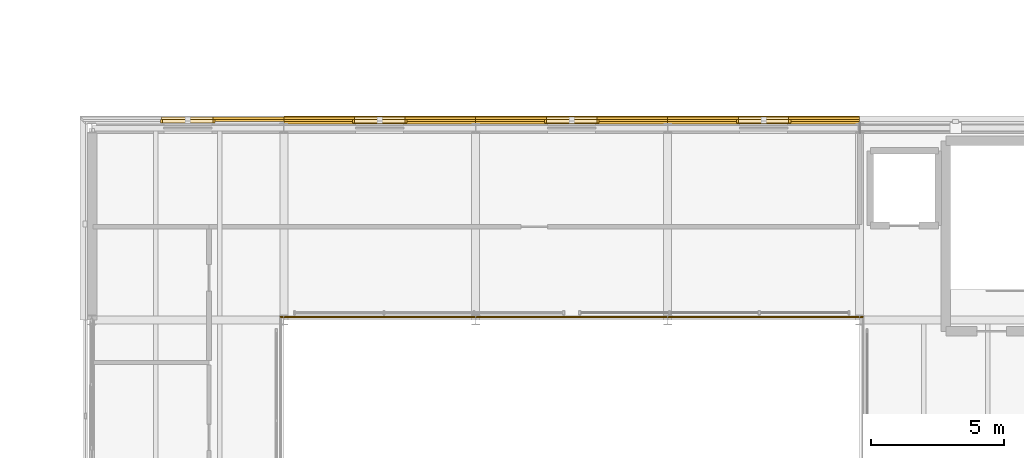
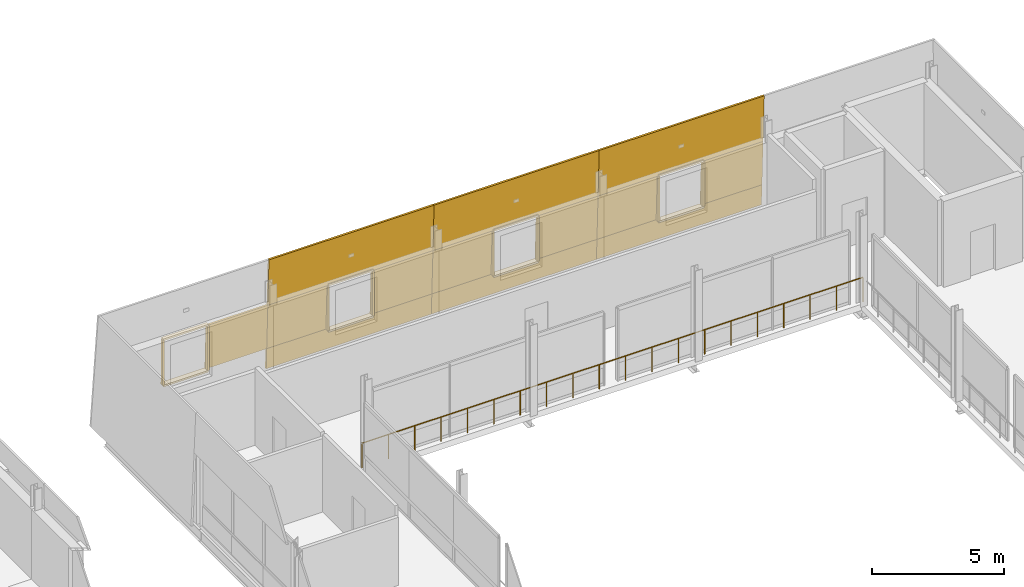
# One storey, part 87 of 91: 29 coverings, 1 railing.
"""IFC4 building model written with IfcOpenShell, lengths in metres."""

from ifc_helpers import new_model, si_unit, direction, frame, origin, origin_2d, place, context, subcontext, project, spatial, polyline, circle, outline, extrude, material, layer, layer_set, type_object, element, save


model = new_model("IFC4")

# Units and contexts
model_context = context("Model", 3, precision=1e-05, world=origin(), true_north=direction((0.0, 1.0)))
body_context = subcontext(model_context, "Body", "Model", "MODEL_VIEW")
ifc_project = project(units=[si_unit("LENGTHUNIT", "METRE"), si_unit("AREAUNIT", "SQUARE_METRE"), si_unit("VOLUMEUNIT", "CUBIC_METRE"), si_unit("PLANEANGLEUNIT", "RADIAN"), si_unit("MASSUNIT", "GRAM", prefix="KILO")], contexts=[model_context])

# Site, building, storey
site_placement = place(None, origin())
site = spatial("IfcSite", under=ifc_project, at=site_placement, CompositionType="ELEMENT")
building_placement = place(site_placement, origin())
building = spatial("IfcBuilding", under=site, at=building_placement, Name="Narikvali Park Central Library", CompositionType="ELEMENT")
storey_placement = place(building_placement, frame((0.0, 0.0, 14.39990234375)))
storey = spatial("IfcBuildingStorey", under=building, at=storey_placement, Name="L03", CompositionType="ELEMENT", Elevation=14.39990234375)

# Railing
ifc_material_1 = material(Name="Laminated Tempered Glass and Stainless Steel", Category="steel")
ifc_layer_1 = layer(ifc_material_1, 0.06005859375, Name="Laminated Tempered Glass and Stainless Steel")
ifc_layer_set_1 = layer_set([ifc_layer_1], Name="Laminated Tempered Glass and Stainless Steel")
railing_type = type_object("IfcRailingType", Name="Atrium Void Tempered Glass Guardrail 1150", PredefinedType="GUARDRAIL", material=ifc_layer_set_1)
railing_placement = place(storey_placement, frame((93.719970703125, 86.52001953125, 0.0)))
element("IfcRailing", 1, at=railing_placement, inside=storey, type_object=railing_type, Name="V1 L03 Void Edge Guardrail N", PredefinedType="GUARDRAIL", context=body_context, shape_type="SweptSolid", body=[
    extrude(circle(Radius=0.02392578125, at=origin_2d()), frame((0.0, 0.0, 1.1259765625), z_axis=(-1.0, 0.0, 0.0), x_axis=(0.0, -1.0, 0.0)), (0.0, 0.0, 1.0), 21.840087890625),
    extrude(circle(Radius=0.02099609375, at=origin_2d()), origin(), (0.0, 0.0, 1.0), 1.101806640625),
    extrude(circle(Radius=0.02099609375, at=origin_2d()), frame((-1.1494140625, 0.0, 0.0)), (0.0, 0.0, 1.0), 1.101806640625),
    extrude(circle(Radius=0.02099609375, at=origin_2d()), frame((-2.299072265625, 0.0, 0.0)), (0.0, 0.0, 1.0), 1.101806640625),
    extrude(circle(Radius=0.02099609375, at=origin_2d()), frame((-3.448486328125, 0.0, 0.0)), (0.0, 0.0, 1.0), 1.101806640625),
    extrude(circle(Radius=0.02099609375, at=origin_2d()), frame((-4.597900390625, 0.0, 0.0)), (0.0, 0.0, 1.0), 1.101806640625),
    extrude(circle(Radius=0.02099609375, at=origin_2d()), frame((-5.747314453125, 0.0, 0.0)), (0.0, 0.0, 1.0), 1.101806640625),
    extrude(circle(Radius=0.02099609375, at=origin_2d()), frame((-6.89697265625, 0.0, 0.0)), (0.0, 0.0, 1.0), 1.101806640625),
    extrude(circle(Radius=0.02099609375, at=origin_2d()), frame((-8.04638671875, 0.0, 0.0)), (0.0, 0.0, 1.0), 1.101806640625),
    extrude(circle(Radius=0.02099609375, at=origin_2d()), frame((-9.19580078125, 0.0, 0.0)), (0.0, 0.0, 1.0), 1.101806640625),
    extrude(circle(Radius=0.02099609375, at=origin_2d()), frame((-10.34521484375, 0.0, 0.0)), (0.0, 0.0, 1.0), 1.101806640625),
    extrude(circle(Radius=0.02099609375, at=origin_2d()), frame((-11.494873046875, 0.0, 0.0)), (0.0, 0.0, 1.0), 1.101806640625),
    extrude(circle(Radius=0.02099609375, at=origin_2d()), frame((-12.644287109375, 0.0, 0.0)), (0.0, 0.0, 1.0), 1.101806640625),
    extrude(circle(Radius=0.02099609375, at=origin_2d()), frame((-13.793701171875, 0.0, 0.0)), (0.0, 0.0, 1.0), 1.101806640625),
    extrude(circle(Radius=0.02099609375, at=origin_2d()), frame((-14.943115234375, 0.0, 0.0)), (0.0, 0.0, 1.0), 1.101806640625),
    extrude(circle(Radius=0.02099609375, at=origin_2d()), frame((-16.0927734375, 0.0, 0.0)), (0.0, 0.0, 1.0), 1.101806640625),
    extrude(circle(Radius=0.02099609375, at=origin_2d()), frame((-17.2421875, 0.0, 0.0)), (0.0, 0.0, 1.0), 1.101806640625),
    extrude(circle(Radius=0.02099609375, at=origin_2d()), frame((-18.3916015625, 0.0, 0.0)), (0.0, 0.0, 1.0), 1.101806640625),
    extrude(circle(Radius=0.02099609375, at=origin_2d()), frame((-19.541015625, 0.0, 0.0)), (0.0, 0.0, 1.0), 1.101806640625),
    extrude(circle(Radius=0.02099609375, at=origin_2d()), frame((-20.690673828125, 0.0, 0.0)), (0.0, 0.0, 1.0), 1.101806640625),
    extrude(circle(Radius=0.02099609375, at=origin_2d()), frame((-21.840087890625, 0.0, 0.0)), (0.0, 0.0, 1.0), 1.101806640625),
])

# Coverings
ifc_material_2 = material(Name="White Honed Limestone Cladding", Category="masonry")
ifc_layer_2 = layer(ifc_material_2, 0.0849609375, Name="White Honed Limestone Cladding")
ifc_layer_set_2 = layer_set([ifc_layer_2], Name="White Honed Limestone Cladding")
covering_type_1 = type_object("IfcCoveringType", Name="Battered White Limestone Facade Cladding Panel", PredefinedType="CLADDING", material=ifc_layer_set_2)
covering_1_placement = place(storey_placement, frame((93.60009765625, 94.05078125, 0.0), z_axis=(0.0, 0.999166557991, 0.040818983227), x_axis=(-1.0, 0.0, 0.0)))
element("IfcCovering", 2, at=covering_1_placement, inside=storey, type_object=covering_type_1, Name="V1 L03 N Battered Limestone Spandrel B02", PredefinedType="CLADDING", context=body_context, shape_type="SweptSolid", body=[
    extrude(outline(polyline([(0.0, 0.0), (7.2001953125, 0.0), (7.2001953125, 0.9509879057703833), (0.0, 0.9509879057703833), (0.0, 0.0)])), origin(), (0.0, 0.0, -1.0), 0.0849609375),
])
covering_2_placement = place(storey_placement, frame((93.60009765625, 93.927978515625, 3.0), z_axis=(0.0, 0.999165598292, 0.040842467967), x_axis=(-1.0, 0.0, 0.0)))
element("IfcCovering", 3, at=covering_2_placement, inside=storey, type_object=covering_type_1, Name="V1 L03 N Battered Limestone Lintel B02", PredefinedType="CLADDING", context=body_context, shape_type="SweptSolid", body=[
    extrude(outline(polyline([(0.0, 0.0), (7.2001953125, 0.0), (7.2001953125, 2.1519420685123154), (0.0, 2.1519420685123154), (0.0, 0.0)])), origin(), (0.0, 0.0, -1.0), 0.0849609375),
])
for number, where, z_axis, x_axis, name in (
    (4, (93.60009765625, 94.011962890625, 0.9501953125), (0.0, 0.99916170734, 0.040937544941), (-1.0, 0.0, 0.0), "V1 L03 N Battered Limestone Jamb Pier L B02"),
    (5, (89.06005859375, 94.011962890625, 0.9501953125), (0.0, 0.99916170734, 0.040937544941), (-1.0, 0.0, 0.0), "V1 L03 N Battered Limestone Jamb Pier R B02"),
):
    element("IfcCovering", number, at=place(storey_placement, frame(where, z_axis=z_axis, x_axis=x_axis)), inside=storey, type_object=covering_type_1, Name=name, PredefinedType="CLADDING", context=body_context, shape_type="SweptSolid", body=[
        extrude(outline(polyline([(0.0, 0.0), (2.66015625, 0.0), (2.66015625, 2.05152446540155), (0.0, 2.05152446540155), (0.0, 0.0)])), origin(), (0.0, 0.0, -1.0), 0.0849609375),
    ])
covering_3_placement = place(storey_placement, frame((86.39990234375, 94.05078125, 0.0), z_axis=(0.0, 0.999166557991, 0.040818983227), x_axis=(-1.0, 0.0, 0.0)))
element("IfcCovering", 6, at=covering_3_placement, inside=storey, type_object=covering_type_1, Name="V1 L03 N Battered Limestone Spandrel B03", PredefinedType="CLADDING", context=body_context, shape_type="SweptSolid", body=[
    extrude(outline(polyline([(0.0, 0.0), (7.199951171875, 0.0), (7.199951171875, 0.9509879057703833), (0.0, 0.9509879057703833), (0.0, 0.0)])), origin(), (0.0, 0.0, -1.0), 0.0849609375),
])
covering_4_placement = place(storey_placement, frame((86.39990234375, 93.927978515625, 3.0), z_axis=(0.0, 0.999165598292, 0.040842467967), x_axis=(-1.0, 0.0, 0.0)))
element("IfcCovering", 7, at=covering_4_placement, inside=storey, type_object=covering_type_1, Name="V1 L03 N Battered Limestone Lintel B03", PredefinedType="CLADDING", context=body_context, shape_type="SweptSolid", body=[
    extrude(outline(polyline([(0.0, 0.0), (7.199951171875, 0.0), (7.199951171875, 2.1519420685123154), (0.0, 2.1519420685123154), (0.0, 0.0)])), origin(), (0.0, 0.0, -1.0), 0.0849609375),
])
covering_5_placement = place(storey_placement, frame((86.39990234375, 94.011962890625, 0.9501953125), z_axis=(0.0, 0.99916170734, 0.040937544941), x_axis=(-1.0, 0.0, 0.0)))
element("IfcCovering", 8, at=covering_5_placement, inside=storey, type_object=covering_type_1, Name="V1 L03 N Battered Limestone Jamb Pier L B03", PredefinedType="CLADDING", context=body_context, shape_type="SweptSolid", body=[
    extrude(outline(polyline([(0.0, 0.0), (2.659912109375, 0.0), (2.659912109375, 2.05152446540155), (0.0, 2.05152446540155), (0.0, 0.0)])), origin(), (0.0, 0.0, -1.0), 0.0849609375),
])
covering_6_placement = place(storey_placement, frame((81.860107421875, 94.011962890625, 0.9501953125), z_axis=(0.0, 0.99916170734, 0.040937544941), x_axis=(-1.0, 0.0, 0.0)))
element("IfcCovering", 9, at=covering_6_placement, inside=storey, type_object=covering_type_1, Name="V1 L03 N Battered Limestone Jamb Pier R B03", PredefinedType="CLADDING", context=body_context, shape_type="SweptSolid", body=[
    extrude(outline(polyline([(0.0, 0.0), (2.66015625, 0.0), (2.66015625, 2.05152446540155), (0.0, 2.05152446540155), (0.0, 0.0)])), origin(), (0.0, 0.0, -1.0), 0.0849609375),
])
covering_7_placement = place(storey_placement, frame((79.199951171875, 94.05078125, 0.0), z_axis=(0.0, 0.999166557991, 0.040818983227), x_axis=(-1.0, 0.0, 0.0)))
element("IfcCovering", 10, at=covering_7_placement, inside=storey, type_object=covering_type_1, Name="V1 L03 N Battered Limestone Spandrel B04", PredefinedType="CLADDING", context=body_context, shape_type="SweptSolid", body=[
    extrude(outline(polyline([(0.0, 0.0), (7.199951171875, 0.0), (7.199951171875, 0.9509879057703833), (0.0, 0.9509879057703833), (0.0, 0.0)])), origin(), (0.0, 0.0, -1.0), 0.0849609375),
])
covering_8_placement = place(storey_placement, frame((79.199951171875, 93.927978515625, 3.0), z_axis=(0.0, 0.999165598292, 0.040842467967), x_axis=(-1.0, 0.0, 0.0)))
element("IfcCovering", 11, at=covering_8_placement, inside=storey, type_object=covering_type_1, Name="V1 L03 N Battered Limestone Lintel B04", PredefinedType="CLADDING", context=body_context, shape_type="SweptSolid", body=[
    extrude(outline(polyline([(0.0, 0.0), (7.199951171875, 0.0), (7.199951171875, 2.1519420685123154), (0.0, 2.1519420685123154), (0.0, 0.0)])), origin(), (0.0, 0.0, -1.0), 0.0849609375),
])
for number, where, z_axis, x_axis, name in (
    (12, (79.199951171875, 94.011962890625, 0.9501953125), (0.0, 0.99916170734, 0.040937544941), (-1.0, 0.0, 0.0), "V1 L03 N Battered Limestone Jamb Pier L B04"),
    (13, (74.659912109375, 94.011962890625, 0.9501953125), (0.0, 0.99916170734, 0.040937544941), (-1.0, 0.0, 0.0), "V1 L03 N Battered Limestone Jamb Pier R B04"),
    (14, (72.0, 94.011962890625, 0.9501953125), (0.0, 0.99916170734, 0.040937544941), (-1.0, 0.0, 0.0), "V1 L03 N Battered Limestone Jamb Pier L B05"),
):
    element("IfcCovering", number, at=place(storey_placement, frame(where, z_axis=z_axis, x_axis=x_axis)), inside=storey, type_object=covering_type_1, Name=name, PredefinedType="CLADDING", context=body_context, shape_type="SweptSolid", body=[
        extrude(outline(polyline([(0.0, 0.0), (2.659912109375, 0.0), (2.659912109375, 2.05152446540155), (0.0, 2.05152446540155), (0.0, 0.0)])), origin(), (0.0, 0.0, -1.0), 0.0849609375),
    ])
ifc_layer_3 = layer(ifc_material_2, 0.080078125, Name="White Honed Limestone Cladding")
ifc_layer_set_3 = layer_set([ifc_layer_3], Name="White Honed Limestone Cladding")
covering_type_2 = type_object("IfcCoveringType", Name="Deep Carved White Limestone Window Reveal", PredefinedType="CLADDING", material=ifc_layer_set_3)
covering_9_placement = place(storey_placement, frame((0.0, 0.0, 3.0)))
element("IfcCovering", 15, at=covering_9_placement, inside=storey, type_object=covering_type_2, Name="Deep Stone Reveal Head V1-RVL-L03-N-B02", PredefinedType="CLADDING", context=body_context, shape_type="SweptSolid", body=[
    extrude(outline(polyline([(90.97998046875, 93.784912109375), (89.02001953125, 93.784912109375), (89.02001953125, 93.927978515625), (90.97998046875, 93.927978515625), (90.97998046875, 93.784912109375)])), origin(), (0.0, 0.0, 1.0), 0.080078125),
])
covering_10_placement = place(storey_placement, frame((0.0, 0.0, 0.8701171875)))
element("IfcCovering", 16, at=covering_10_placement, inside=storey, type_object=covering_type_2, Name="Deep Stone Reveal Sill V1-RVL-L03-N-B02", PredefinedType="CLADDING", context=body_context, shape_type="SweptSolid", body=[
    extrude(outline(polyline([(90.97998046875, 93.784912109375), (89.02001953125, 93.784912109375), (89.02001953125, 94.011962890625), (90.97998046875, 94.011962890625), (90.97998046875, 93.784912109375)])), origin(), (0.0, 0.0, 1.0), 0.080078125),
])
covering_11_placement = place(storey_placement, frame((0.0, 0.0, 0.9501953125)))
element("IfcCovering", 17, at=covering_11_placement, inside=storey, type_object=covering_type_2, Name="Deep Stone Reveal Jamb L V1-RVL-L03-N-B02", PredefinedType="CLADDING", context=body_context, shape_type="SweptSolid", body=[
    extrude(outline(polyline([(91.02001953125, 93.784912109375), (90.93994140625, 93.784912109375), (90.93994140625, 93.927978515625), (91.02001953125, 93.927978515625), (91.02001953125, 93.784912109375)])), origin(), (0.0, 0.0, 1.0), 2.0498046875),
])
covering_12_placement = place(storey_placement, frame((0.0, 0.0, 0.9501953125)))
element("IfcCovering", 18, at=covering_12_placement, inside=storey, type_object=covering_type_2, Name="Deep Stone Reveal Jamb R V1-RVL-L03-N-B02", PredefinedType="CLADDING", context=body_context, shape_type="SweptSolid", body=[
    extrude(outline(polyline([(89.06005859375, 93.784912109375), (88.97998046875, 93.784912109375), (88.97998046875, 93.927978515625), (89.06005859375, 93.927978515625), (89.06005859375, 93.784912109375)])), origin(), (0.0, 0.0, 1.0), 2.0498046875),
])
covering_13_placement = place(storey_placement, frame((0.0, 0.0, 3.0)))
element("IfcCovering", 19, at=covering_13_placement, inside=storey, type_object=covering_type_2, Name="Deep Stone Reveal Head V1-RVL-L03-N-B03", PredefinedType="CLADDING", context=body_context, shape_type="SweptSolid", body=[
    extrude(outline(polyline([(83.780029296875, 93.784912109375), (81.820068359375, 93.784912109375), (81.820068359375, 93.927978515625), (83.780029296875, 93.927978515625), (83.780029296875, 93.784912109375)])), origin(), (0.0, 0.0, 1.0), 0.080078125),
])
covering_14_placement = place(storey_placement, frame((0.0, 0.0, 0.8701171875)))
element("IfcCovering", 20, at=covering_14_placement, inside=storey, type_object=covering_type_2, Name="Deep Stone Reveal Sill V1-RVL-L03-N-B03", PredefinedType="CLADDING", context=body_context, shape_type="SweptSolid", body=[
    extrude(outline(polyline([(83.780029296875, 93.784912109375), (81.820068359375, 93.784912109375), (81.820068359375, 94.011962890625), (83.780029296875, 94.011962890625), (83.780029296875, 93.784912109375)])), origin(), (0.0, 0.0, 1.0), 0.080078125),
])
covering_15_placement = place(storey_placement, frame((0.0, 0.0, 0.9501953125)))
element("IfcCovering", 21, at=covering_15_placement, inside=storey, type_object=covering_type_2, Name="Deep Stone Reveal Jamb L V1-RVL-L03-N-B03", PredefinedType="CLADDING", context=body_context, shape_type="SweptSolid", body=[
    extrude(outline(polyline([(83.820068359375, 93.784912109375), (83.739990234375, 93.784912109375), (83.739990234375, 93.927978515625), (83.820068359375, 93.927978515625), (83.820068359375, 93.784912109375)])), origin(), (0.0, 0.0, 1.0), 2.0498046875),
])
covering_16_placement = place(storey_placement, frame((0.0, 0.0, 0.9501953125)))
element("IfcCovering", 22, at=covering_16_placement, inside=storey, type_object=covering_type_2, Name="Deep Stone Reveal Jamb R V1-RVL-L03-N-B03", PredefinedType="CLADDING", context=body_context, shape_type="SweptSolid", body=[
    extrude(outline(polyline([(81.860107421875, 93.784912109375), (81.780029296875, 93.784912109375), (81.780029296875, 93.927978515625), (81.860107421875, 93.927978515625), (81.860107421875, 93.784912109375)])), origin(), (0.0, 0.0, 1.0), 2.0498046875),
])
covering_17_placement = place(storey_placement, frame((0.0, 0.0, 3.0)))
element("IfcCovering", 23, at=covering_17_placement, inside=storey, type_object=covering_type_2, Name="Deep Stone Reveal Head V1-RVL-L03-N-B04", PredefinedType="CLADDING", context=body_context, shape_type="SweptSolid", body=[
    extrude(outline(polyline([(76.580078125, 93.784912109375), (74.6201171875, 93.784912109375), (74.6201171875, 93.927978515625), (76.580078125, 93.927978515625), (76.580078125, 93.784912109375)])), origin(), (0.0, 0.0, 1.0), 0.080078125),
])
covering_18_placement = place(storey_placement, frame((0.0, 0.0, 0.8701171875)))
element("IfcCovering", 24, at=covering_18_placement, inside=storey, type_object=covering_type_2, Name="Deep Stone Reveal Sill V1-RVL-L03-N-B04", PredefinedType="CLADDING", context=body_context, shape_type="SweptSolid", body=[
    extrude(outline(polyline([(76.580078125, 93.784912109375), (74.6201171875, 93.784912109375), (74.6201171875, 94.011962890625), (76.580078125, 94.011962890625), (76.580078125, 93.784912109375)])), origin(), (0.0, 0.0, 1.0), 0.080078125),
])
covering_19_placement = place(storey_placement, frame((0.0, 0.0, 0.9501953125)))
element("IfcCovering", 25, at=covering_19_placement, inside=storey, type_object=covering_type_2, Name="Deep Stone Reveal Jamb L V1-RVL-L03-N-B04", PredefinedType="CLADDING", context=body_context, shape_type="SweptSolid", body=[
    extrude(outline(polyline([(76.6201171875, 93.784912109375), (76.5400390625, 93.784912109375), (76.5400390625, 93.927978515625), (76.6201171875, 93.927978515625), (76.6201171875, 93.784912109375)])), origin(), (0.0, 0.0, 1.0), 2.0498046875),
])
covering_20_placement = place(storey_placement, frame((0.0, 0.0, 0.9501953125)))
element("IfcCovering", 26, at=covering_20_placement, inside=storey, type_object=covering_type_2, Name="Deep Stone Reveal Jamb R V1-RVL-L03-N-B04", PredefinedType="CLADDING", context=body_context, shape_type="SweptSolid", body=[
    extrude(outline(polyline([(74.659912109375, 93.784912109375), (74.580078125, 93.784912109375), (74.580078125, 93.927978515625), (74.659912109375, 93.927978515625), (74.659912109375, 93.784912109375)])), origin(), (0.0, 0.0, 1.0), 2.0498046875),
])
covering_21_placement = place(storey_placement, frame((0.0, 0.0, 3.0)))
element("IfcCovering", 27, at=covering_21_placement, inside=storey, type_object=covering_type_2, Name="Deep Stone Reveal Head V1-RVL-L03-N-B05", PredefinedType="CLADDING", context=body_context, shape_type="SweptSolid", body=[
    extrude(outline(polyline([(69.3798828125, 93.784912109375), (67.419921875, 93.784912109375), (67.419921875, 93.927978515625), (69.3798828125, 93.927978515625), (69.3798828125, 93.784912109375)])), origin(), (0.0, 0.0, 1.0), 0.080078125),
])
covering_22_placement = place(storey_placement, frame((0.0, 0.0, 0.8701171875)))
element("IfcCovering", 28, at=covering_22_placement, inside=storey, type_object=covering_type_2, Name="Deep Stone Reveal Sill V1-RVL-L03-N-B05", PredefinedType="CLADDING", context=body_context, shape_type="SweptSolid", body=[
    extrude(outline(polyline([(69.3798828125, 93.784912109375), (67.419921875, 93.784912109375), (67.419921875, 94.011962890625), (69.3798828125, 94.011962890625), (69.3798828125, 93.784912109375)])), origin(), (0.0, 0.0, 1.0), 0.080078125),
])
covering_23_placement = place(storey_placement, frame((0.0, 0.0, 0.9501953125)))
element("IfcCovering", 29, at=covering_23_placement, inside=storey, type_object=covering_type_2, Name="Deep Stone Reveal Jamb L V1-RVL-L03-N-B05", PredefinedType="CLADDING", context=body_context, shape_type="SweptSolid", body=[
    extrude(outline(polyline([(69.419921875, 93.784912109375), (69.340087890625, 93.784912109375), (69.340087890625, 93.927978515625), (69.419921875, 93.927978515625), (69.419921875, 93.784912109375)])), origin(), (0.0, 0.0, 1.0), 2.0498046875),
])
covering_24_placement = place(storey_placement, frame((0.0, 0.0, 0.9501953125)))
element("IfcCovering", 30, at=covering_24_placement, inside=storey, type_object=covering_type_2, Name="Deep Stone Reveal Jamb R V1-RVL-L03-N-B05", PredefinedType="CLADDING", context=body_context, shape_type="SweptSolid", body=[
    extrude(outline(polyline([(67.4599609375, 93.784912109375), (67.3798828125, 93.784912109375), (67.3798828125, 93.927978515625), (67.4599609375, 93.927978515625), (67.4599609375, 93.784912109375)])), origin(), (0.0, 0.0, 1.0), 2.0498046875),
])

save(model, "model.ifc")
